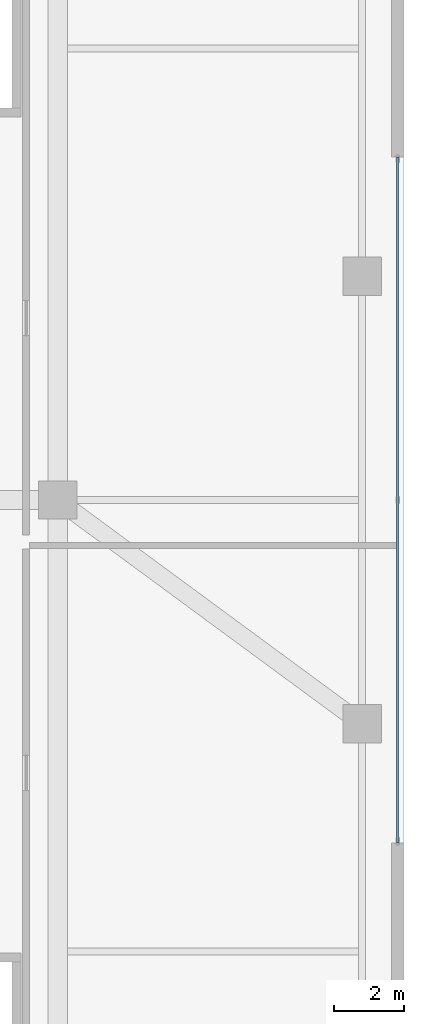
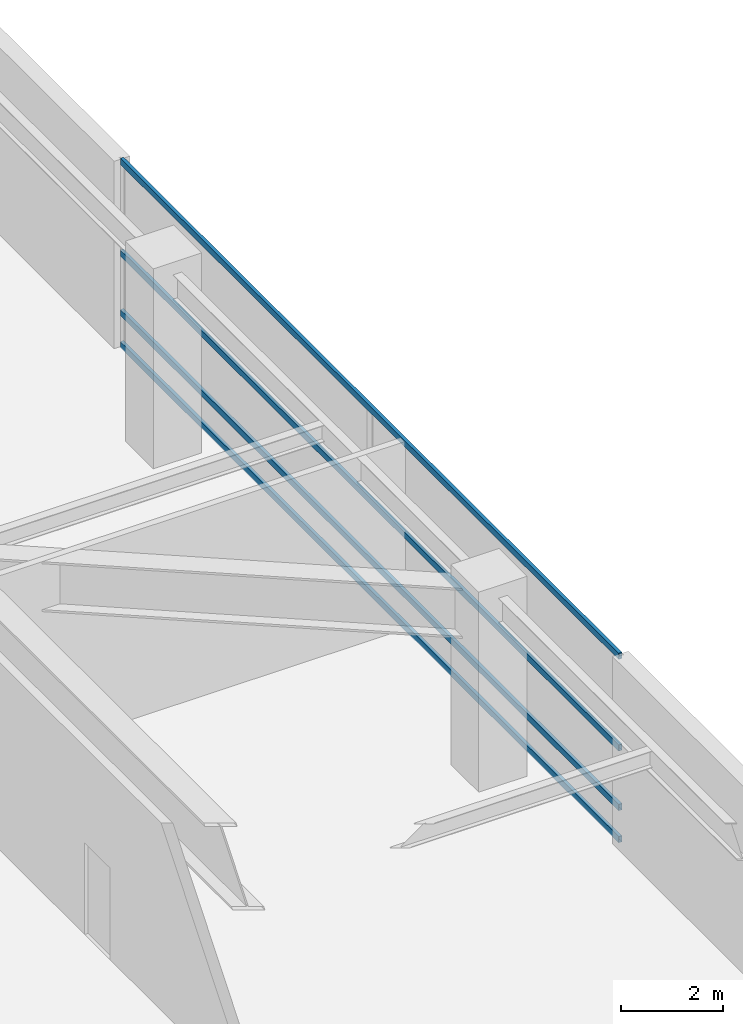
# One storey, part 26 of 34: 4 members, 1 element without a shape of its own.
"""IFC4 building model written with IfcOpenShell, lengths in metres."""

from ifc_helpers import new_model, si_unit, direction, frame, origin, origin_2d, place, context, subcontext, project, spatial, hollow_rectangle, extrude, source, transform, mapped, material, layer, layer_set, material_profile, profile_set, type_object, element, aggregate, save


model = new_model("IFC4")

# Units and contexts
model_context = context("Model", 3, precision=1e-05, world=origin(), true_north=direction((0.0, 1.0)))
body_context = subcontext(model_context, "Body", "Model", "MODEL_VIEW")
ifc_project = project(units=[si_unit("LENGTHUNIT", "METRE"), si_unit("AREAUNIT", "SQUARE_METRE"), si_unit("VOLUMEUNIT", "CUBIC_METRE"), si_unit("PLANEANGLEUNIT", "RADIAN"), si_unit("MASSUNIT", "GRAM", prefix="KILO"), si_unit("THERMODYNAMICTEMPERATUREUNIT", "KELVIN"), si_unit("POWERUNIT", "WATT")], contexts=[model_context])

# Site, building, storey
site_placement = place(None, origin())
site = spatial("IfcSite", under=ifc_project, at=site_placement, CompositionType="ELEMENT")
building_placement = place(site_placement, origin())
building = spatial("IfcBuilding", under=site, at=building_placement, Name="Yuzanri Waterfront Tower", CompositionType="ELEMENT")
storey_placement = place(building_placement, frame((0.0, 0.0, 25.800048828125)))
storey = spatial("IfcBuildingStorey", under=building, at=storey_placement, Name="L06", CompositionType="ELEMENT", Elevation=25.800048828125)

# Curtain wall, members
ifc_material_1 = material(Name="Anodized Architectural Bronze", Category="metal")
ifc_layer = layer(ifc_material_1, 0.159912109375)
ifc_layer_set = layer_set([ifc_layer], Name="Anodized Architectural Bronze")
curtain_wall_type = type_object("IfcCurtainWallType", Name="Anodized Bronze Podium Waterfront Double-Height Unitized Curtain Wall 8400", PredefinedType="NOTDEFINED", material=ifc_layer_set)
curtain_wall_placement = place(storey_placement, origin())
curtain_wall = element("IfcCurtainWall", 1, at=curtain_wall_placement, inside=storey, type_object=curtain_wall_type, Name="L06 Curtain Wall CW-L06-E", PredefinedType="NOTDEFINED")
ifc_material_2 = material(Name="Anodized Architectural Bronze", Category="metal")
ifc_material_profile = material_profile(ifc_material_2, hollow_rectangle(XDim=0.074951171875, YDim=0.14990234375, WallThickness=0.00390625, at=origin_2d()), Name="CWT 75x150")
ifc_profile_set = profile_set([ifc_material_profile], Name="Anodized Architectural Bronze")
member_type = type_object("IfcMemberType", Name="Anodized Bronze Primary Curtain-Wall Transom 75x150", PredefinedType="USERDEFINED", material=ifc_profile_set)
shared_shape = source(origin(), body_context, "Body", "SweptSolid", [
    extrude(hollow_rectangle(XDim=0.074951171875, YDim=0.14990234375, WallThickness=0.00390625, at=origin_2d()), origin(), (0.0, 0.0, 1.0), 19.60009765625),
])
member_1_placement = place(storey_placement, frame((71.820068359375, 16.0, 0.050048828125), z_axis=(0.0, 1.0, 0.0), x_axis=(-1.0, 0.0, 0.0)))
member_1 = element("IfcMember", 2, at=member_1_placement, type_object=member_type, Name="CW-L06-E Transom 1", ObjectType="TRANSOM", PredefinedType="USERDEFINED", context=body_context, shape_type="MappedRepresentation", body=[
    mapped(shared_shape, transform((0.0, 0.0, 0.0), scale=1.0)),
])
member_2_placement = place(storey_placement, frame((71.820068359375, 16.0, 0.820068359375), z_axis=(0.0, 1.0, 0.0), x_axis=(-1.0, 0.0, 0.0)))
member_2 = element("IfcMember", 3, at=member_2_placement, type_object=member_type, Name="CW-L06-E Transom 2", ObjectType="TRANSOM", PredefinedType="USERDEFINED", context=body_context, shape_type="MappedRepresentation", body=[
    mapped(shared_shape, transform((0.0, 0.0, 0.0), scale=1.0)),
])
member_3_placement = place(storey_placement, frame((71.820068359375, 16.0, 2.25), z_axis=(0.0, 1.0, 0.0), x_axis=(-1.0, 0.0, 0.0)))
member_3 = element("IfcMember", 4, at=member_3_placement, type_object=member_type, Name="CW-L06-E Transom 3", ObjectType="TRANSOM", PredefinedType="USERDEFINED", context=body_context, shape_type="MappedRepresentation", body=[
    mapped(shared_shape, transform((0.0, 0.0, 0.0), scale=1.0)),
])
member_4_placement = place(storey_placement, frame((71.820068359375, 16.0, 4.449951171875), z_axis=(0.0, 1.0, 0.0), x_axis=(-1.0, 0.0, 0.0)))
member_4 = element("IfcMember", 5, at=member_4_placement, type_object=member_type, Name="CW-L06-E Transom 4", ObjectType="TRANSOM", PredefinedType="USERDEFINED", context=body_context, shape_type="MappedRepresentation", body=[
    mapped(shared_shape, transform((0.0, 0.0, 0.0), scale=1.0)),
])
aggregate(curtain_wall, [member_1, member_2, member_3, member_4])

save(model, "model.ifc")
